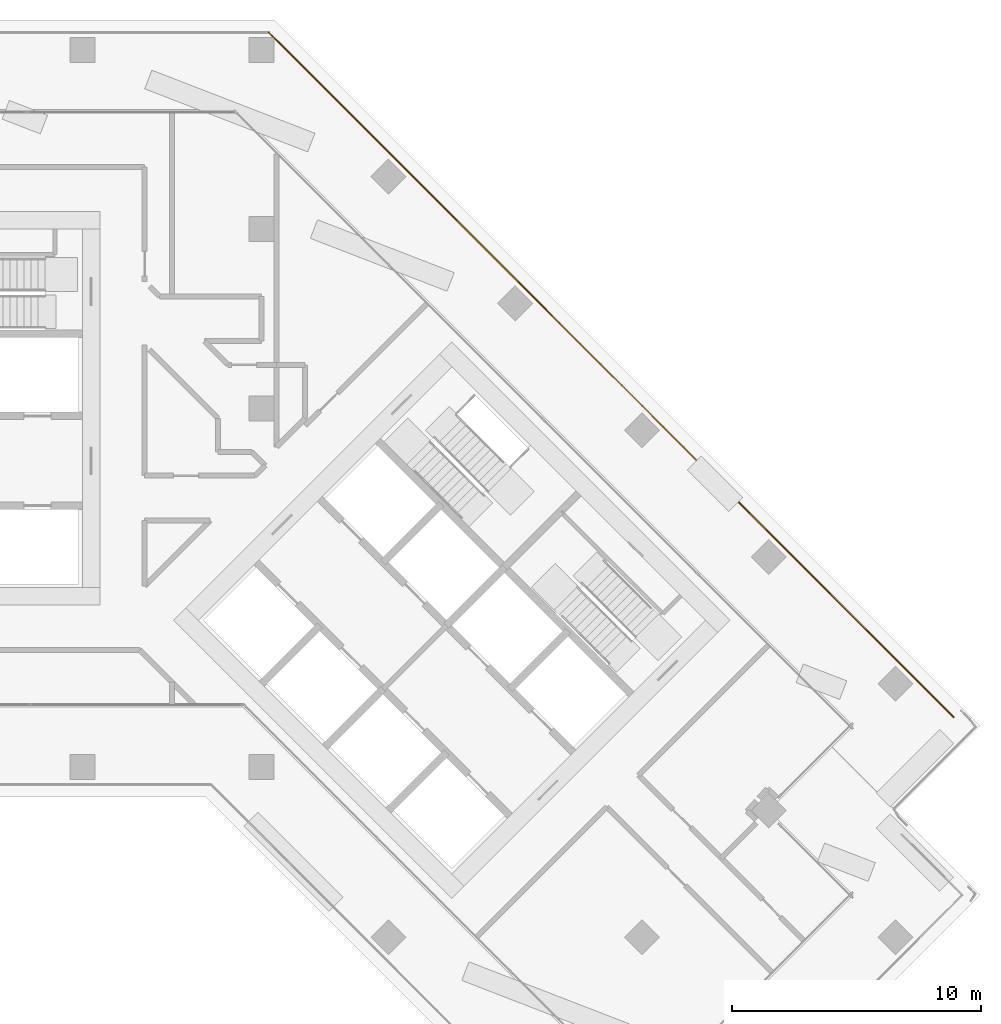
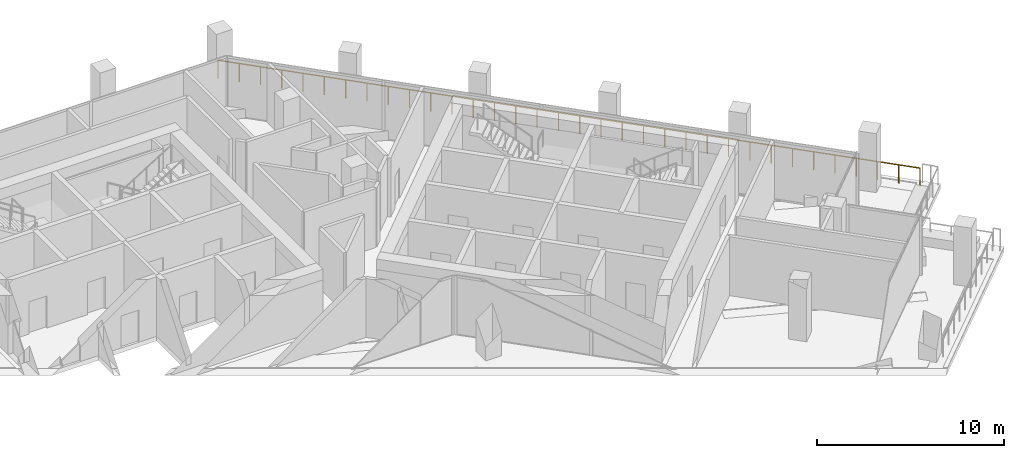
# One storey, part 21 of 21: 1 railing.
"""IFC4 building model written with IfcOpenShell, lengths in metres."""

from ifc_helpers import new_model, si_unit, direction, frame, origin, origin_2d, place, context, subcontext, project, spatial, circle, extrude, material, type_object, element, save


model = new_model("IFC4")

# Units and contexts
model_context = context("Model", 3, precision=1e-05, world=origin(), true_north=direction((0.0, 1.0)))
body_context = subcontext(model_context, "Body", "Model", "MODEL_VIEW")
ifc_project = project(units=[si_unit("LENGTHUNIT", "METRE"), si_unit("AREAUNIT", "SQUARE_METRE"), si_unit("VOLUMEUNIT", "CUBIC_METRE"), si_unit("PLANEANGLEUNIT", "RADIAN"), si_unit("MASSUNIT", "GRAM", prefix="KILO")], contexts=[model_context])

# Site, building, storey
site_placement = place(None, origin())
site = spatial("IfcSite", under=ifc_project, at=site_placement, CompositionType="ELEMENT")
building_placement = place(site_placement, origin())
building = spatial("IfcBuilding", under=site, at=building_placement, Name="Windrow Commons", CompositionType="ELEMENT")
storey_placement = place(building_placement, frame((0.0, 0.0, 131.2)))
storey = spatial("IfcBuildingStorey", under=building, at=storey_placement, Name="L35", CompositionType="ELEMENT", Elevation=131.2)

# Railing
ifc_material = material(Name="Stainless steel S316 balustrade with toughened glass infill", Category="steel")
railing_type = type_object("IfcRailingType", Name="Terrace guard 1200 podium", PredefinedType="BALUSTRADE", material=ifc_material)
railing_placement = place(storey_placement, frame((79.49, 72.7, 0.05)))
element("IfcRailing", 1, at=railing_placement, inside=storey, type_object=railing_type, Name="Guard TR-L35-1.E10", PredefinedType="BALUSTRADE", context=body_context, shape_type="SweptSolid", body=[
    extrude(circle(Radius=0.025, at=origin_2d()), frame((0.0, 0.0, 1.175), z_axis=(0.7071067812, -0.7071067812, 0.0), x_axis=(0.7071067812, 0.7071067812, 0.0)), (0.0, 0.0, 1.0), 38.8899),
    extrude(circle(Radius=0.02, at=origin_2d()), origin(), (0.0, 0.0, 1.0), 1.15),
    extrude(circle(Radius=0.02, at=origin_2d()), frame((0.8333, -0.8333, 0.0)), (0.0, 0.0, 1.0), 1.15),
    extrude(circle(Radius=0.02, at=origin_2d()), frame((1.6666, -1.6666, 0.0)), (0.0, 0.0, 1.0), 1.15),
    extrude(circle(Radius=0.02, at=origin_2d()), frame((2.4999, -2.4999, 0.0)), (0.0, 0.0, 1.0), 1.15),
    extrude(circle(Radius=0.02, at=origin_2d()), frame((3.3332, -3.3332, 0.0)), (0.0, 0.0, 1.0), 1.15),
    extrude(circle(Radius=0.02, at=origin_2d()), frame((4.1666, -4.1666, 0.0)), (0.0, 0.0, 1.0), 1.15),
    extrude(circle(Radius=0.02, at=origin_2d()), frame((4.9999, -4.9999, 0.0)), (0.0, 0.0, 1.0), 1.15),
    extrude(circle(Radius=0.02, at=origin_2d()), frame((5.8332, -5.8332, 0.0)), (0.0, 0.0, 1.0), 1.15),
    extrude(circle(Radius=0.02, at=origin_2d()), frame((6.6665, -6.6665, 0.0)), (0.0, 0.0, 1.0), 1.15),
    extrude(circle(Radius=0.02, at=origin_2d()), frame((7.4998, -7.4998, 0.0)), (0.0, 0.0, 1.0), 1.15),
    extrude(circle(Radius=0.02, at=origin_2d()), frame((8.3331, -8.3331, 0.0)), (0.0, 0.0, 1.0), 1.15),
    extrude(circle(Radius=0.02, at=origin_2d()), frame((9.1664, -9.1664, 0.0)), (0.0, 0.0, 1.0), 1.15),
    extrude(circle(Radius=0.02, at=origin_2d()), frame((9.9997, -9.9997, 0.0)), (0.0, 0.0, 1.0), 1.15),
    extrude(circle(Radius=0.02, at=origin_2d()), frame((10.8331, -10.8331, 0.0)), (0.0, 0.0, 1.0), 1.15),
    extrude(circle(Radius=0.02, at=origin_2d()), frame((11.6664, -11.6664, 0.0)), (0.0, 0.0, 1.0), 1.15),
    extrude(circle(Radius=0.02, at=origin_2d()), frame((12.4997, -12.4997, 0.0)), (0.0, 0.0, 1.0), 1.15),
    extrude(circle(Radius=0.02, at=origin_2d()), frame((13.333, -13.333, 0.0)), (0.0, 0.0, 1.0), 1.15),
    extrude(circle(Radius=0.02, at=origin_2d()), frame((14.1663, -14.1663, 0.0)), (0.0, 0.0, 1.0), 1.15),
    extrude(circle(Radius=0.02, at=origin_2d()), frame((14.9996, -14.9996, 0.0)), (0.0, 0.0, 1.0), 1.15),
    extrude(circle(Radius=0.02, at=origin_2d()), frame((15.8329, -15.8329, 0.0)), (0.0, 0.0, 1.0), 1.15),
    extrude(circle(Radius=0.02, at=origin_2d()), frame((16.6662, -16.6662, 0.0)), (0.0, 0.0, 1.0), 1.15),
    extrude(circle(Radius=0.02, at=origin_2d()), frame((17.4996, -17.4996, 0.0)), (0.0, 0.0, 1.0), 1.15),
    extrude(circle(Radius=0.02, at=origin_2d()), frame((18.3329, -18.3329, 0.0)), (0.0, 0.0, 1.0), 1.15),
    extrude(circle(Radius=0.02, at=origin_2d()), frame((19.1662, -19.1662, 0.0)), (0.0, 0.0, 1.0), 1.15),
    extrude(circle(Radius=0.02, at=origin_2d()), frame((19.9995, -19.9995, 0.0)), (0.0, 0.0, 1.0), 1.15),
    extrude(circle(Radius=0.02, at=origin_2d()), frame((20.8328, -20.8328, 0.0)), (0.0, 0.0, 1.0), 1.15),
    extrude(circle(Radius=0.02, at=origin_2d()), frame((21.6661, -21.6661, 0.0)), (0.0, 0.0, 1.0), 1.15),
    extrude(circle(Radius=0.02, at=origin_2d()), frame((22.4994, -22.4994, 0.0)), (0.0, 0.0, 1.0), 1.15),
    extrude(circle(Radius=0.02, at=origin_2d()), frame((23.3327, -23.3327, 0.0)), (0.0, 0.0, 1.0), 1.15),
    extrude(circle(Radius=0.02, at=origin_2d()), frame((24.1661, -24.1661, 0.0)), (0.0, 0.0, 1.0), 1.15),
    extrude(circle(Radius=0.02, at=origin_2d()), frame((24.9994, -24.9994, 0.0)), (0.0, 0.0, 1.0), 1.15),
    extrude(circle(Radius=0.02, at=origin_2d()), frame((25.8327, -25.8327, 0.0)), (0.0, 0.0, 1.0), 1.15),
    extrude(circle(Radius=0.02, at=origin_2d()), frame((26.666, -26.666, 0.0)), (0.0, 0.0, 1.0), 1.15),
    extrude(circle(Radius=0.02, at=origin_2d()), frame((27.4993, -27.4993, 0.0)), (0.0, 0.0, 1.0), 1.15),
])

save(model, "model.ifc")
